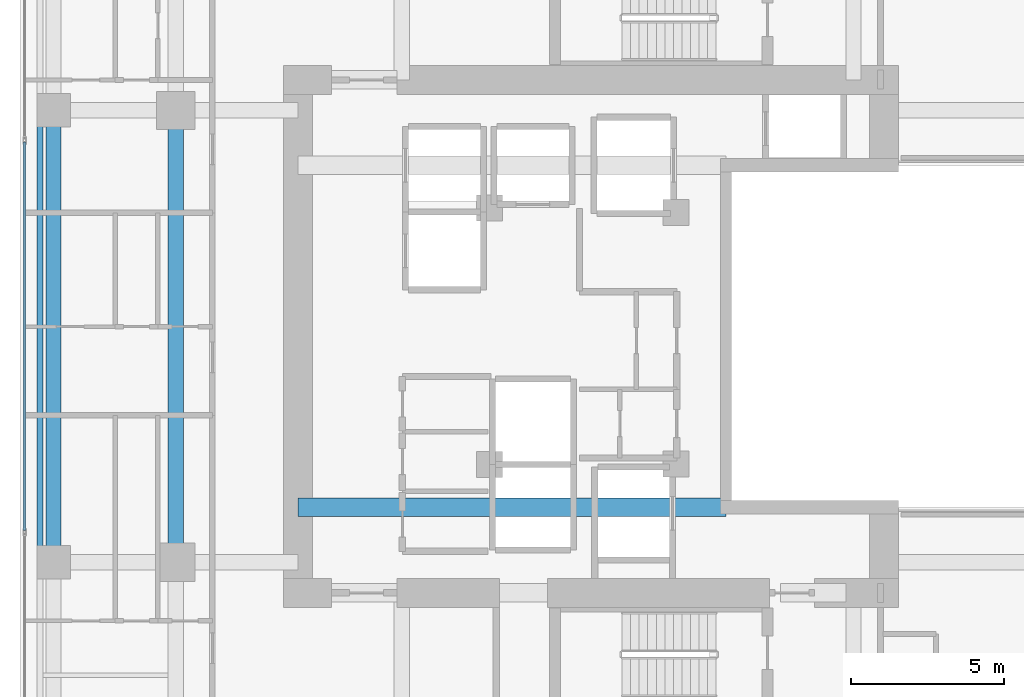
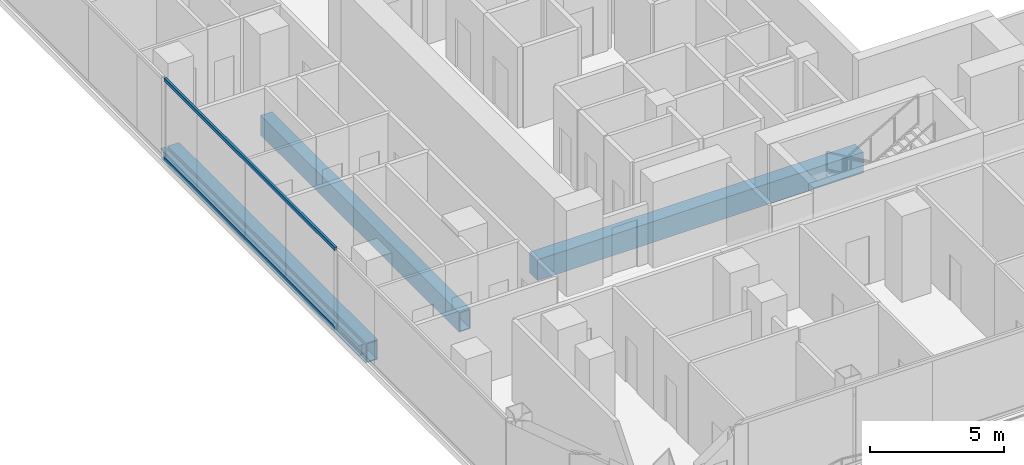
# One storey, part 7 of 29: 4 beams, 2 members, 1 element without a shape of its own.
"""IFC4 building model written with IfcOpenShell, lengths in metres."""

from ifc_helpers import new_model, si_unit, direction, frame, origin, origin_2d, place, context, subcontext, project, spatial, rectangle, hollow_rectangle, i_section, extrude, material, layer, layer_set, material_profile, profile_set, type_object, element, aggregate, save


model = new_model("IFC4")

# Units and contexts
model_context = context("Model", 3, precision=1e-05, world=origin(), true_north=direction((0.0, 1.0)))
body_context = subcontext(model_context, "Body", "Model", "MODEL_VIEW")
ifc_project = project(units=[si_unit("LENGTHUNIT", "METRE"), si_unit("AREAUNIT", "SQUARE_METRE"), si_unit("VOLUMEUNIT", "CUBIC_METRE"), si_unit("PLANEANGLEUNIT", "RADIAN"), si_unit("MASSUNIT", "GRAM", prefix="KILO")], contexts=[model_context])

# Site, building, storey
site_placement = place(None, origin())
site = spatial("IfcSite", under=ifc_project, at=site_placement, CompositionType="ELEMENT")
building_placement = place(site_placement, origin())
building = spatial("IfcBuilding", under=site, at=building_placement, Name="Khorvyn Point Tower", CompositionType="ELEMENT")
storey_placement = place(building_placement, frame((0.0, 0.0, 136.800048828125)))
storey = spatial("IfcBuildingStorey", under=building, at=storey_placement, Name="L34", CompositionType="ELEMENT", Elevation=136.800048828125)

# Curtain wall, members
ifc_material_1 = material(Name="Anodised aluminium 6063-T6 and laminated Low-E glass", Category="aluminium")
ifc_layer = layer(ifc_material_1, 0.18994140625)
ifc_layer_set = layer_set([ifc_layer], Name="Stick-Built Acoustic Curtain Wall CW-SYS-03")
curtain_wall_type = type_object("IfcCurtainWallType", Name="Stick-Built Acoustic Curtain Wall CW-SYS-03", PredefinedType="NOTDEFINED", material=ifc_layer_set)
curtain_wall_placement = place(storey_placement, origin())
curtain_wall = element("IfcCurtainWall", 1, at=curtain_wall_placement, inside=storey, type_object=curtain_wall_type, Name="Curtain Wall", PredefinedType="NOTDEFINED")
ifc_material_2 = material(Name="Anodised aluminium 6063-T6", Category="aluminium")
ifc_material_profile_1 = material_profile(ifc_material_2, hollow_rectangle(XDim=0.10009765625, YDim=0.159912109375, WallThickness=0.00439453125, at=origin_2d()))
ifc_profile_set_1 = profile_set([ifc_material_profile_1], Name="Anodised aluminium 6063-T6 ALU-TRN-100x160")
member_type = type_object("IfcMemberType", Name="Anodised Aluminium 6063-T6 Transom ALU-TRN-100x160", PredefinedType="USERDEFINED", material=ifc_profile_set_1)
member_1_placement = place(storey_placement, frame((-19.75, -6.36669921875, 0.050048828125), z_axis=(0.0, 1.0, 0.0), x_axis=(-1.0, 0.0, 0.0)))
member_1 = element("IfcMember", 2, at=member_1_placement, type_object=member_type, Name="Transom", ObjectType="TRANSOM", PredefinedType="USERDEFINED", context=body_context, shape_type="SweptSolid", body=[
    extrude(hollow_rectangle(XDim=0.10009765625, YDim=0.159912109375, WallThickness=0.00439453125, at=origin_2d()), origin(), (0.0, 0.0, 1.0), 12.7333984375),
])
member_2_placement = place(storey_placement, frame((-19.75, -6.36669921875, 3.6298828125), z_axis=(0.0, 1.0, 0.0), x_axis=(-1.0, 0.0, 0.0)))
member_2 = element("IfcMember", 3, at=member_2_placement, type_object=member_type, Name="Transom", ObjectType="TRANSOM", PredefinedType="USERDEFINED", context=body_context, shape_type="SweptSolid", body=[
    extrude(hollow_rectangle(XDim=0.10009765625, YDim=0.159912109375, WallThickness=0.00439453125, at=origin_2d()), origin(), (0.0, 0.0, 1.0), 12.7333984375),
])
aggregate(curtain_wall, [member_1, member_2])

# Beams
ifc_material_3 = material(Name="Concrete C50/60", Category="concrete")
ifc_material_profile_2 = material_profile(ifc_material_3, rectangle(XDim=0.60009765625, YDim=0.949951171875, at=origin_2d()))
ifc_profile_set_2 = profile_set([ifc_material_profile_2], Name="Concrete C50/60 RC600x950")
beam_type_1 = type_object("IfcBeamType", Name="Concrete C50/60 Beam RC600x950", PredefinedType="BEAM", material=ifc_profile_set_2)
beam_1_placement = place(storey_placement, frame((-10.800048828125, -5.60009765625, -0.755126953125), z_axis=(1.0, 0.0, 0.0), x_axis=(0.0, 1.0, 0.0)))
element("IfcBeam", 4, at=beam_1_placement, inside=storey, type_object=beam_type_1, Name="L34 Core Internal Tie Girder S", PredefinedType="BEAM", context=body_context, shape_type="SweptSolid", body=[
    extrude(rectangle(XDim=0.60009765625, YDim=0.949951171875, at=origin_2d()), origin(), (0.0, 0.0, 1.0), 14.02001953125),
])
ifc_material_4 = material(Name="Steel S355", Category="steel")
ifc_material_profile_3 = material_profile(ifc_material_4, i_section(OverallWidth=0.199951171875, OverallDepth=0.449951171875, WebThickness=0.009033203125, FlangeThickness=0.013916015625, at=origin_2d()))
ifc_profile_set_3 = profile_set([ifc_material_profile_3], Name="Steel S355 H450x200x9x14")
beam_type_2 = type_object("IfcBeamType", Name="Steel S355 Spandrel H450x200x9x14", PredefinedType="SPANDREL", material=ifc_profile_set_3)
beam_2_placement = place(storey_placement, frame((-19.25, -7.39990234375, -0.505126953125), z_axis=(0.0, 1.0, 0.0), x_axis=(-1.0, 0.0, 0.0)))
element("IfcBeam", 5, at=beam_2_placement, inside=storey, type_object=beam_type_2, Name="Beam", PredefinedType="SPANDREL", context=body_context, shape_type="SweptSolid", body=[
    extrude(i_section(OverallWidth=0.199951171875, OverallDepth=0.449951171875, WebThickness=0.009033203125, FlangeThickness=0.013916015625, at=origin_2d()), origin(), (0.0, 0.0, 1.0), 14.7998046875),
])
ifc_material_5 = material(Name="Steel S450", Category="steel")
ifc_material_profile_4 = material_profile(ifc_material_5, hollow_rectangle(XDim=0.5, YDim=0.89990234375, WallThickness=0.0400390625, at=origin_2d()))
ifc_profile_set_4 = profile_set([ifc_material_profile_4], Name="Steel S450 BOX900x500x40")
beam_type_3 = type_object("IfcBeamType", Name="Steel S450 Beam BOX900x500x40", PredefinedType="BEAM", material=ifc_profile_set_4)
for number, where, z_axis, x_axis, name in (
    (6, (-14.800048828125, -7.39990234375, -0.72998046875), (0.0, 1.0, 0.0), (-1.0, 0.0, 0.0), "L34 Radial Transfer Girder"),
    (7, (-18.800048828125, -7.39990234375, -0.72998046875), (0.0, 1.0, 0.0), (-1.0, 0.0, 0.0), "Beam"),
):
    element("IfcBeam", number, at=place(storey_placement, frame(where, z_axis=z_axis, x_axis=x_axis)), inside=storey, type_object=beam_type_3, Name=name, PredefinedType="BEAM", context=body_context, shape_type="SweptSolid", body=[
        extrude(hollow_rectangle(XDim=0.5, YDim=0.89990234375, WallThickness=0.0400390625, at=origin_2d()), origin(), (0.0, 0.0, 1.0), 14.7998046875),
    ])

save(model, "model.ifc")
